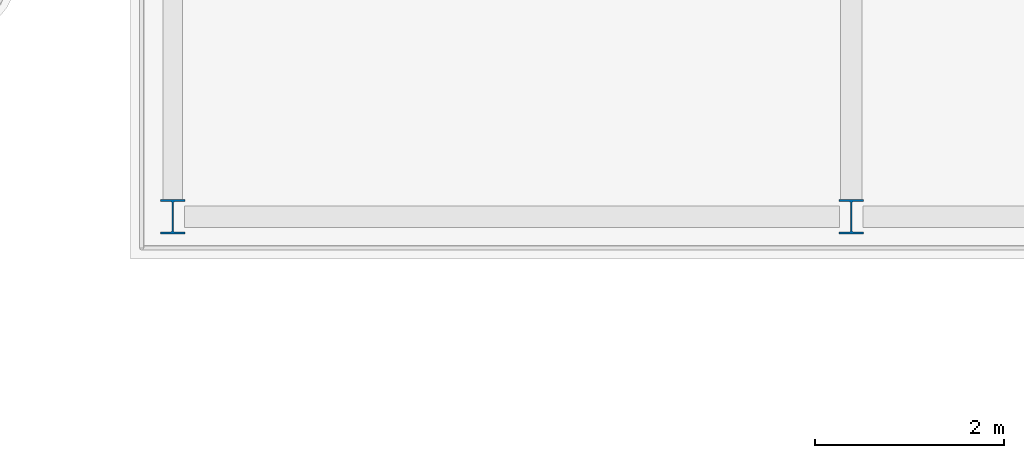
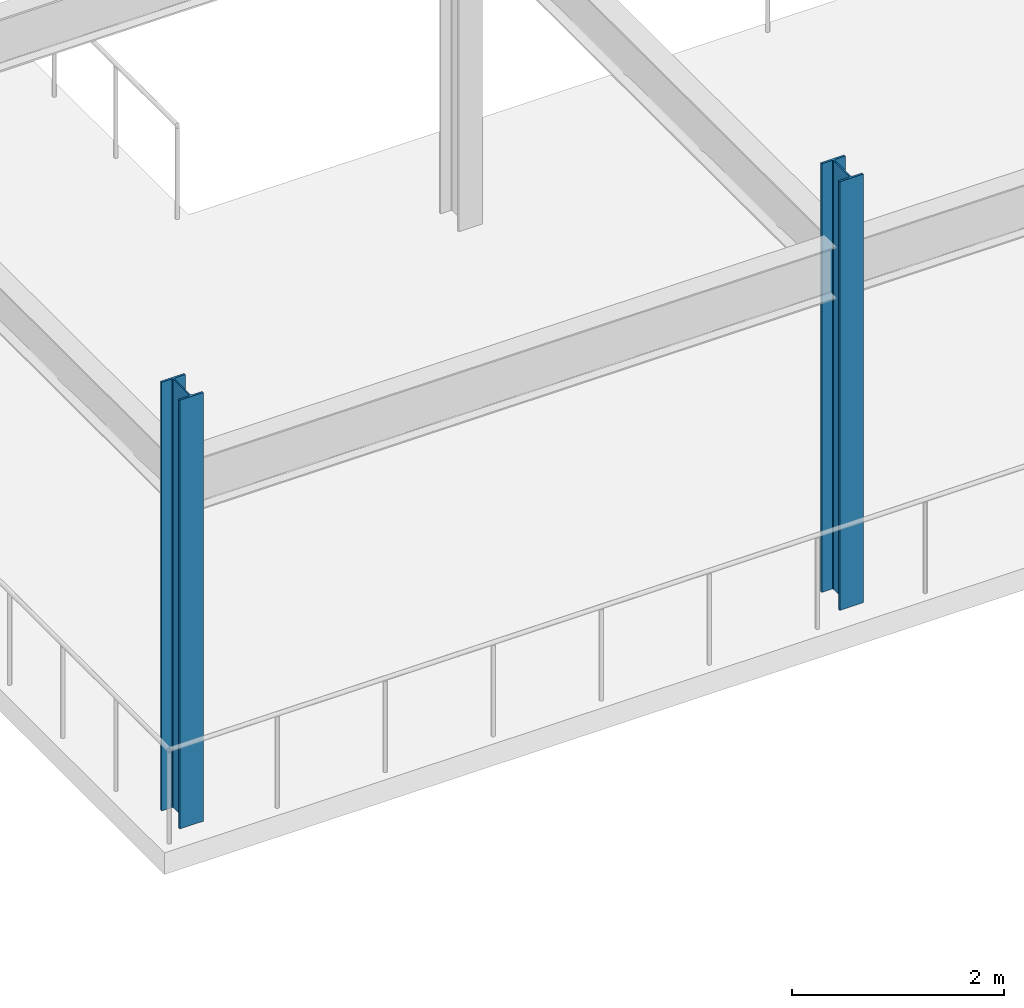
# One storey, part 2 of 40: 2 columns.
"""IFC4 building model written with IfcOpenShell, lengths in metres."""

from ifc_helpers import new_model, si_unit, direction, frame, origin, origin_2d, place, context, subcontext, project, spatial, i_section, extrude, material, material_profile, profile_set, type_object, element, save


model = new_model("IFC4")

# Units and contexts
model_context = context("Model", 3, precision=1e-05, world=origin(), true_north=direction((0.0, 1.0)))
body_context = subcontext(model_context, "Body", "Model", "MODEL_VIEW")
ifc_project = project(units=[si_unit("LENGTHUNIT", "METRE"), si_unit("AREAUNIT", "SQUARE_METRE"), si_unit("VOLUMEUNIT", "CUBIC_METRE"), si_unit("PLANEANGLEUNIT", "RADIAN"), si_unit("MASSUNIT", "GRAM", prefix="KILO")], contexts=[model_context])

# Site, building, storey
site_placement = place(None, origin())
site = spatial("IfcSite", under=ifc_project, at=site_placement, CompositionType="ELEMENT")
building_placement = place(site_placement, origin())
building = spatial("IfcBuilding", under=site, at=building_placement, Name="Vaelcorin Mobility Hub", CompositionType="ELEMENT")
storey_placement = place(building_placement, frame((0.0, 0.0, 17.10009765625)))
storey = spatial("IfcBuildingStorey", under=building, at=storey_placement, Name="L04", CompositionType="ELEMENT", Elevation=17.10009765625)

# Columns
ifc_material = material(Name="Steel ASTM A992 Grade 50", Category="steel")
ifc_material_profile = material_profile(ifc_material, i_section(OverallWidth=0.257080078125, OverallDepth=0.363037109375, WebThickness=0.012939453125, FlangeThickness=0.021728515625, FilletRadius=0.014892578125, at=origin_2d()), Name="W14X82")
ifc_profile_set = profile_set([ifc_material_profile], Name="Steel ASTM A992 Grade 50")
column_type = type_object("IfcColumnType", Name="COL-W14X82", PredefinedType="COLUMN", material=ifc_profile_set)
for number, where, z_axis, x_axis, name in (
    (1, (123.60009765625, 76.800048828125, 0.0), (0.0, 0.0, 1.0), (1.0, 0.0, 0.0), "Column V2E-G1x1 L04"),
    (2, (130.800048828125, 76.800048828125, 0.0), (0.0, 0.0, 1.0), (1.0, 0.0, 0.0), "Column V2E-G2x1 L04"),
):
    element("IfcColumn", number, at=place(storey_placement, frame(where, z_axis=z_axis, x_axis=x_axis)), inside=storey, type_object=column_type, Name=name, PredefinedType="COLUMN", context=body_context, shape_type="SweptSolid", body=[
        extrude(i_section(OverallWidth=0.257080078125, OverallDepth=0.363037109375, WebThickness=0.012939453125, FlangeThickness=0.021728515625, FilletRadius=0.014892578125, at=origin_2d()), origin(), (0.0, 0.0, 1.0), 4.94384765625),
    ])

save(model, "model.ifc")
